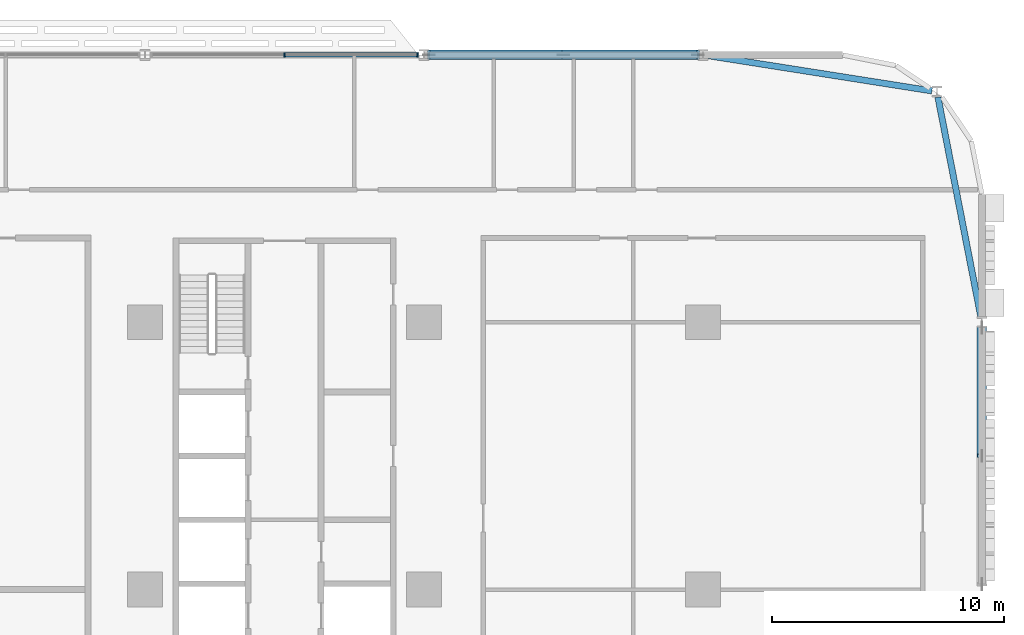
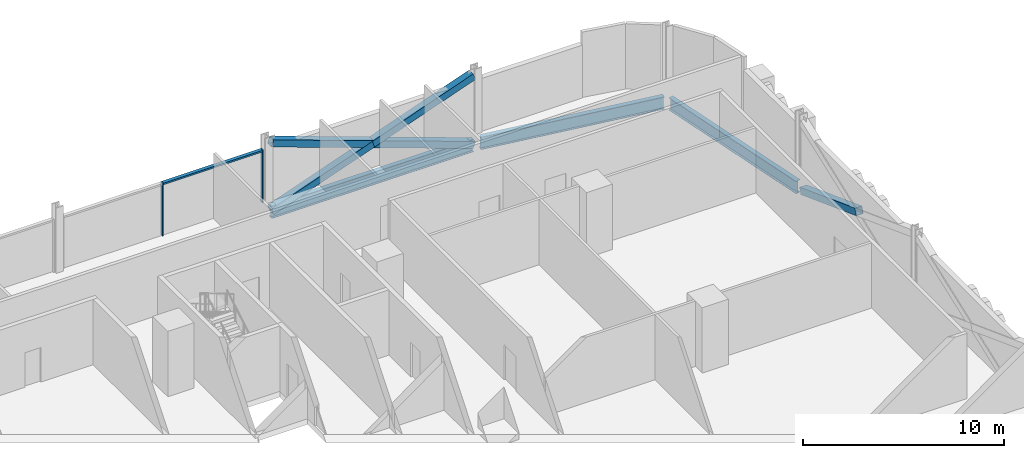
# One storey, part 10 of 29: 7 members, 3 beams, 1 element without a shape of its own.
"""IFC4 building model written with IfcOpenShell, lengths in metres."""

from ifc_helpers import new_model, si_unit, direction, frame, origin, origin_2d, place, context, subcontext, project, spatial, rectangle, hollow_rectangle, i_section, extrude, material, material_profile, profile_set, type_object, element, aggregate, save


model = new_model("IFC4")

# Units and contexts
model_context = context("Model", 3, precision=1e-05, world=origin(), true_north=direction((0.0, 1.0)))
body_context = subcontext(model_context, "Body", "Model", "MODEL_VIEW")
ifc_project = project(units=[si_unit("LENGTHUNIT", "METRE"), si_unit("AREAUNIT", "SQUARE_METRE"), si_unit("VOLUMEUNIT", "CUBIC_METRE"), si_unit("PLANEANGLEUNIT", "RADIAN"), si_unit("MASSUNIT", "GRAM", prefix="KILO")], contexts=[model_context])

# Site, building, storey
site_placement = place(None, origin())
site = spatial("IfcSite", under=ifc_project, at=site_placement, CompositionType="ELEMENT")
building_placement = place(site_placement, origin())
building = spatial("IfcBuilding", under=site, at=building_placement, Name="Mahtab Terrace Research Tower", CompositionType="ELEMENT")
storey_placement = place(building_placement, frame((0.0, 0.0, 67.5)))
storey = spatial("IfcBuildingStorey", under=building, at=storey_placement, Name="L15", CompositionType="ELEMENT", Elevation=67.5)

# Members
ifc_material_1 = material(Name="Steel ASTM A500 Gr C", Category="steel")
ifc_material_profile_1 = material_profile(ifc_material_1, hollow_rectangle(XDim=0.406494140625, YDim=0.406494140625, WallThickness=0.01904296875, at=origin_2d()), Name="HSS16X16X3/4")
ifc_profile_set_1 = profile_set([ifc_material_profile_1], Name="Steel ASTM A500 Gr C")
member_type_1 = type_object("IfcMemberType", Name="HSS 16x16x3/4 brace XB161634", PredefinedType="BRACE", material=ifc_profile_set_1)
member_1_placement = place(storey_placement, frame((41.787841796875, 23.0, -0.642333984375), z_axis=(-0.941386519928, 0.0, 0.337329838731), x_axis=(0.0, -1.0, 0.0)))
element("IfcMember", 1, at=member_1_placement, inside=storey, type_object=member_type_1, Name="Exoskeleton brace L15 02 a", PredefinedType="BRACE", context=body_context, shape_type="SweptSolid", body=[
    extrude(hollow_rectangle(XDim=0.406494140625, YDim=0.406494140625, WallThickness=0.01904296875, at=origin_2d()), origin(), (0.0, 0.0, 1.0), 12.29638671875),
])
for number, where, z_axis, x_axis, name in (
    (2, (30.212158203125, 23.0, -0.642333984375), (0.941386519928, 0.0, 0.337329838731), (0.0, 1.0, 0.0), "Exoskeleton brace L15 02 b1"),
    (3, (36.0, 23.0, 1.431640625), (0.941386519928, 0.0, 0.337329838731), (0.0, 1.0, 0.0), "Exoskeleton brace L15 02 b2"),
):
    element("IfcMember", number, at=place(storey_placement, frame(where, z_axis=z_axis, x_axis=x_axis)), inside=storey, type_object=member_type_1, Name=name, PredefinedType="BRACE", context=body_context, shape_type="SweptSolid", body=[
        extrude(hollow_rectangle(XDim=0.406494140625, YDim=0.406494140625, WallThickness=0.01904296875, at=origin_2d()), origin(), (0.0, 0.0, 1.0), 6.148193359375),
    ])
member_2_placement = place(storey_placement, frame((54.0, 11.262451171875, -0.629638671875), z_axis=(0.0, -0.936657793787, 0.350245881259), x_axis=(1.0, 0.0, 0.0)))
element("IfcMember", 4, at=member_2_placement, inside=storey, type_object=member_type_1, Name="Exoskeleton brace L15 23 b1", PredefinedType="BRACE", context=body_context, shape_type="SweptSolid", body=[
    extrude(hollow_rectangle(XDim=0.406494140625, YDim=0.406494140625, WallThickness=0.01904296875, at=origin_2d()), origin(), (0.0, 0.0, 1.0), 5.88525390625),
])

# Curtain wall, members
ifc_material_2 = material(Name="Laboratory ribbon curtain wall")
curtain_wall_type = type_object("IfcCurtainWallType", Name="Laboratory ribbon curtain wall", PredefinedType="NOTDEFINED", material=ifc_material_2)
curtain_wall_placement = place(storey_placement, origin())
curtain_wall = element("IfcCurtainWall", 5, at=curtain_wall_placement, inside=storey, type_object=curtain_wall_type, Name="EN.L15.3.5", PredefinedType="NOTDEFINED")
ifc_material_3 = material(Name="Natural anodised aluminium", Category="aluminium")
ifc_material_profile_2 = material_profile(ifc_material_3, rectangle(XDim=0.199951171875, YDim=0.06494140625, at=origin_2d()), Name="MULLION 65x200")
ifc_profile_set_2 = profile_set([ifc_material_profile_2], Name="Natural anodised aluminium")
member_type_2 = type_object("IfcMemberType", Name="Laboratory ribbon curtain wall mullion", PredefinedType="MULLION", material=ifc_profile_set_2)
member_3_placement = place(storey_placement, frame((29.7294921875, 23.0, 0.0), z_axis=(0.0, 0.0, 1.0), x_axis=(0.0, -1.0, 0.0)))
member_3 = element("IfcMember", 6, at=member_3_placement, type_object=member_type_2, Name="CWL-2 mullion 1", PredefinedType="MULLION", context=body_context, shape_type="SweptSolid", body=[
    extrude(rectangle(XDim=0.199951171875, YDim=0.06494140625, at=origin_2d()), origin(), (0.0, 0.0, 1.0), 3.203125),
])
member_4_placement = place(storey_placement, frame((24.0, 23.0, 0.0), z_axis=(0.0, 0.0, 1.0), x_axis=(0.0, -1.0, 0.0)))
member_4 = element("IfcMember", 7, at=member_4_placement, type_object=member_type_2, Name="CWL-2 mullion 2", PredefinedType="MULLION", context=body_context, shape_type="SweptSolid", body=[
    extrude(rectangle(XDim=0.199951171875, YDim=0.06494140625, at=origin_2d()), origin(), (0.0, 0.0, 1.0), 3.203125),
])
ifc_material_profile_3 = material_profile(ifc_material_3, rectangle(XDim=0.199951171875, YDim=0.10009765625, at=origin_2d()), Name="TRANSOM 100x200")
ifc_profile_set_3 = profile_set([ifc_material_profile_3], Name="Natural anodised aluminium")
member_type_3 = type_object("IfcMemberType", Name="Laboratory ribbon curtain wall transom", PredefinedType="USERDEFINED", material=ifc_profile_set_3)
member_5_placement = place(storey_placement, frame((29.697021484375, 23.0, 3.153076171875), z_axis=(-1.0, 0.0, 0.0), x_axis=(0.0, -1.0, 0.0)))
member_5 = element("IfcMember", 8, at=member_5_placement, type_object=member_type_3, Name="CWL-2 transom 1", ObjectType="TRANSOM", PredefinedType="USERDEFINED", context=body_context, shape_type="SweptSolid", body=[
    extrude(rectangle(XDim=0.199951171875, YDim=0.10009765625, at=origin_2d()), origin(), (0.0, 0.0, 1.0), 5.66455078125),
])
aggregate(curtain_wall, [member_3, member_4, member_5])

# Beams
ifc_material_4 = material(Name="Steel ASTM A992 Gr 50", Category="steel")
ifc_material_profile_4 = material_profile(ifc_material_4, i_section(OverallWidth=0.2666015625, OverallDepth=0.7568359375, WebThickness=0.013916015625, FlangeThickness=0.019287109375, at=origin_2d()), Name="W30X108")
ifc_profile_set_4 = profile_set([ifc_material_profile_4], Name="Steel ASTM A992 Gr 50")
beam_type = type_object("IfcBeamType", Name="W30x108 beam BS30108", PredefinedType="BEAM", material=ifc_profile_set_4)
beam_1_placement = place(storey_placement, frame((51.849853515625, 21.449462890625, -0.718505859375), z_axis=(-0.987836303792, 0.155497385545, 0.0), x_axis=(-0.155497385545, -0.987836303792, 0.0)))
element("IfcBeam", 9, at=beam_1_placement, inside=storey, type_object=beam_type, Name="Spandrel beam L15 01", PredefinedType="BEAM", context=body_context, shape_type="SweptSolid", body=[
    extrude(i_section(OverallWidth=0.2666015625, OverallDepth=0.7568359375, WebThickness=0.013916015625, FlangeThickness=0.019287109375, at=origin_2d()), origin(), (0.0, 0.0, 1.0), 9.75634765625),
])
beam_2_placement = place(storey_placement, frame((41.787841796875, 23.0, -0.718505859375), z_axis=(-1.0, 0.0, 0.0), x_axis=(0.0, -1.0, 0.0)))
element("IfcBeam", 10, at=beam_2_placement, inside=storey, type_object=beam_type, Name="Spandrel beam L15 02", PredefinedType="BEAM", context=body_context, shape_type="SweptSolid", body=[
    extrude(i_section(OverallWidth=0.2666015625, OverallDepth=0.7568359375, WebThickness=0.013916015625, FlangeThickness=0.019287109375, at=origin_2d()), origin(), (0.0, 0.0, 1.0), 11.57568359375),
])
beam_3_placement = place(storey_placement, frame((53.95361328125, 11.737548828125, -0.718505859375), z_axis=(-0.191819239661, 0.981430272254, 0.0), x_axis=(-0.981430272254, -0.191819239661, 0.0)))
element("IfcBeam", 11, at=beam_3_placement, inside=storey, type_object=beam_type, Name="Spandrel beam L15 24", PredefinedType="BEAM", context=body_context, shape_type="SweptSolid", body=[
    extrude(i_section(OverallWidth=0.2666015625, OverallDepth=0.7568359375, WebThickness=0.013916015625, FlangeThickness=0.019287109375, at=origin_2d()), origin(), (0.0, 0.0, 1.0), 9.61962890625),
])

save(model, "model.ifc")
